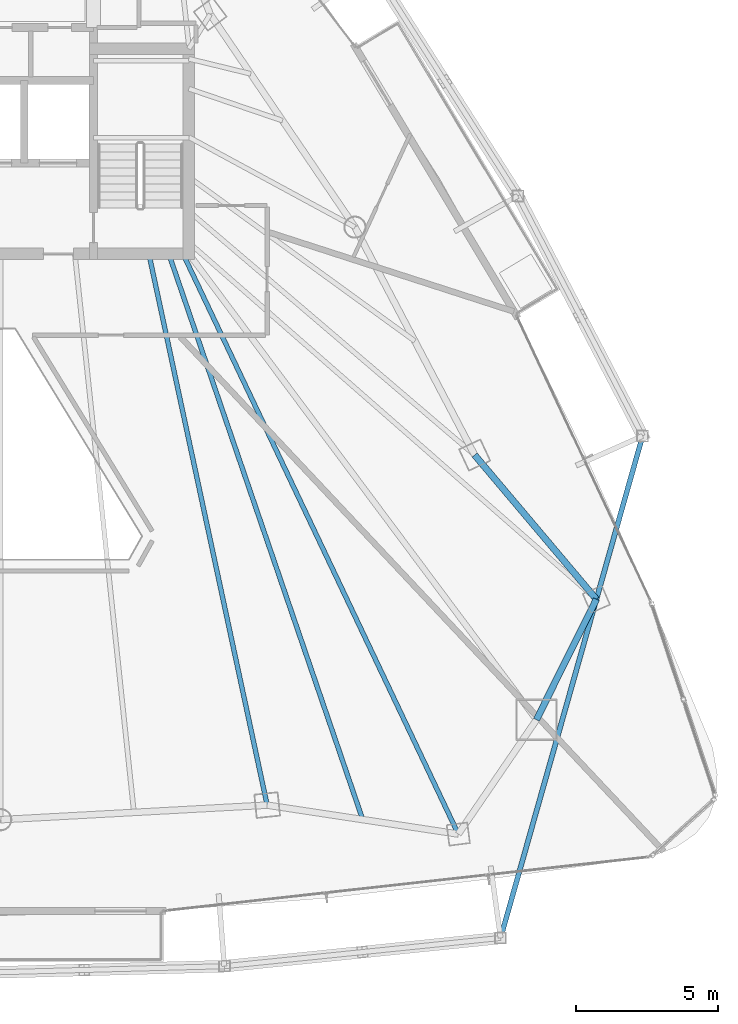
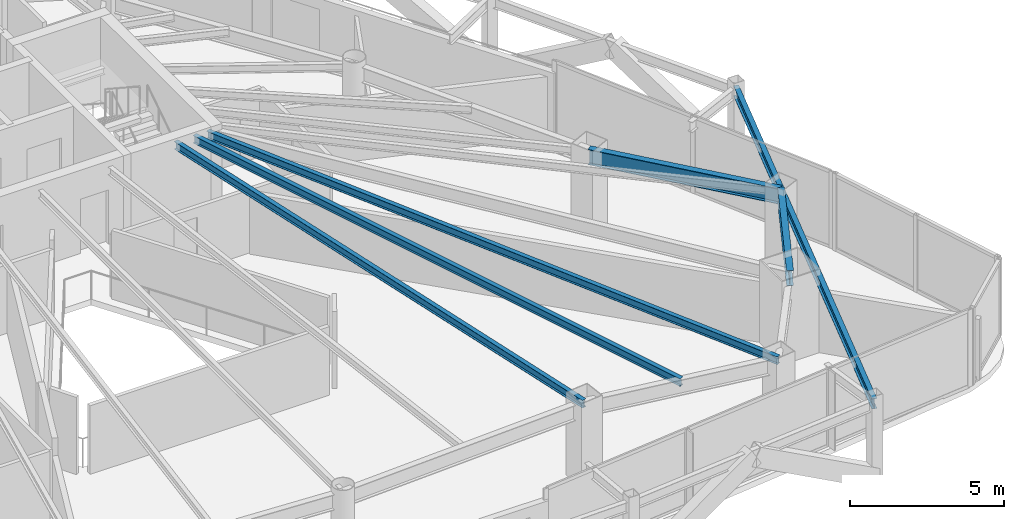
# One storey, part 15 of 31: 6 beams.
"""IFC4 building model written with IfcOpenShell, lengths in metres."""

import ifcopenshell
import ifcopenshell.guid

model = None  # the IFC model being written
_history = None  # IfcOwnerHistory: only IFC2X3 demands one
_inside = {}  # id of a spatial element -> (the spatial element, [elements in it])
_under = {}  # id of a project, library or spatial element -> (it, [spatial elements below it])
_declared = {}  # id of a project -> (the project, [libraries it declares])
_typed = {}  # id of a type object -> (the type object, [elements of that type])
_made_of = {}  # id of a material, layer set ... -> (it, [elements and type objects made of it])


def new_model(schema):
    """Start an empty IFC model of exactly this schema.

    Asked for "IFC4X3", IfcOpenShell would pick the latest addendum, in which some entities
    have other attributes; the version numbers below select the first issue.
    IFC2X3 requires an IfcOwnerHistory on every rooted entity: one is made here for all.
    """
    global model, _history
    if schema == "IFC4X3":
        model = ifcopenshell.file(schema_version=(4, 3, 0, 0))
    else:
        model = ifcopenshell.file(schema=schema)
    _inside.clear()
    _under.clear()
    _declared.clear()
    _typed.clear()
    _made_of.clear()
    _history = None
    if model.schema == "IFC2X3":
        org = make("IfcOrganization", Name="unknown")
        user = make(
            "IfcPersonAndOrganization",
            ThePerson=make("IfcPerson", FamilyName="unknown"),
            TheOrganization=org,
        )
        app = make(
            "IfcApplication",
            ApplicationDeveloper=org,
            Version="unknown",
            ApplicationFullName="unknown",
            ApplicationIdentifier="unknown",
        )
        _history = make(
            "IfcOwnerHistory",
            OwningUser=user,
            OwningApplication=app,
            ChangeAction="ADDED",
            CreationDate=0,
        )
    return model


def make(cls, **values):
    """One entity of the class cls with the attributes given. An attribute that is None is left unset."""
    return model.create_entity(
        cls, **{name: value for name, value in values.items() if value is not None}
    )


def rooted(cls, **values):
    """An entity with a GlobalId (a new one), such as an element, a storey or a relation."""
    return make(cls, GlobalId=ifcopenshell.guid.new(), OwnerHistory=_history, **values)


def si_unit(unit_type, name, prefix=None):
    """IfcSIUnit, for example si_unit("LENGTHUNIT", "METRE", prefix="MILLI")."""
    return make("IfcSIUnit", UnitType=unit_type, Prefix=prefix, Name=name)


def assignment(units):
    """IfcUnitAssignment: the units of a project."""
    return None if units is None else make("IfcUnitAssignment", Units=units)


def point(xyz):
    """IfcCartesianPoint."""
    return None if xyz is None else make("IfcCartesianPoint", Coordinates=xyz)


def direction(xyz):
    """IfcDirection."""
    return None if xyz is None else make("IfcDirection", DirectionRatios=xyz)


def frame(location, z_axis=None, x_axis=None):
    """IfcAxis2Placement3D, a coordinate frame: its origin and axes. An axis left out is left unset."""
    return make(
        "IfcAxis2Placement3D",
        Location=point(location),
        Axis=direction(z_axis),
        RefDirection=direction(x_axis),
    )


def frame_2d(location, x_axis=None):
    """IfcAxis2Placement2D, a coordinate frame in the plane: its origin and x axis."""
    return make(
        "IfcAxis2Placement2D", Location=point(location), RefDirection=direction(x_axis)
    )


def origin():
    """The frame at (0, 0, 0) with its axes left unset."""
    return frame((0.0, 0.0, 0.0))


def origin_2d():
    """The frame at (0, 0) in the plane with its x axis left unset."""
    return frame_2d((0.0, 0.0))


def place(relative_to, where):
    """IfcLocalPlacement: puts the frame where relative to a parent placement (None: the world)."""
    return make(
        "IfcLocalPlacement", PlacementRelTo=relative_to, RelativePlacement=where
    )


def context(
    kind, dimensions, precision=None, world=None, true_north=None, identifier=None
):
    """IfcGeometricRepresentationContext, for example the 3D "Model" context."""
    return make(
        "IfcGeometricRepresentationContext",
        ContextIdentifier=identifier,
        ContextType=kind,
        CoordinateSpaceDimension=dimensions,
        Precision=precision,
        WorldCoordinateSystem=world,
        TrueNorth=true_north,
    )


def subcontext(parent, identifier, kind, view, scale=None):
    """IfcGeometricRepresentationSubContext, for example "Body" below "Model"."""
    return make(
        "IfcGeometricRepresentationSubContext",
        ContextIdentifier=identifier,
        ContextType=kind,
        ParentContext=parent,
        TargetScale=scale,
        TargetView=view,
    )


def project(units=None, contexts=None):
    """IfcProject with its units and contexts."""
    return rooted(
        "IfcProject",
        Name="project",
        RepresentationContexts=contexts,
        UnitsInContext=assignment(units),
    )


def spatial(cls, under=None, at=None, **own):
    """A site, building, storey or space (cls), placed at a placement, below another one or the project."""
    s = rooted(cls, ObjectPlacement=at, **own)
    if under is not None:
        _under.setdefault(under.id(), (under, []))[1].append(s)
    return s


def profile(cls, at=None, kind="AREA", **sizes):
    """A parametric profile (cls). Its sizes go by their IFC names, for example OverallWidth=200.0."""
    return make(cls, ProfileType=kind, Position=at, **sizes)


def i_section(**sizes):
    """IfcIShapeProfileDef."""
    return profile("IfcIShapeProfileDef", **sizes)


def extrude(swept, where, along, depth):
    """IfcExtrudedAreaSolid: the profile swept, set in the frame where, extruded along a direction by depth."""
    return make(
        "IfcExtrudedAreaSolid",
        SweptArea=swept,
        Position=where,
        ExtrudedDirection=direction(along),
        Depth=depth,
    )


def shape(context_of_items, identifier, shape_type, items):
    """IfcShapeRepresentation: the items that make up one representation, for example the "Body"."""
    return make(
        "IfcShapeRepresentation",
        ContextOfItems=context_of_items,
        RepresentationIdentifier=identifier,
        RepresentationType=shape_type,
        Items=items,
    )


def material(Name=None, Category=None):
    """IfcMaterial."""
    return make("IfcMaterial", Name=Name, Category=Category)


def material_profile(
    of_material, cross_section, Name=None, Category=None, Priority=None
):
    """IfcMaterialProfile: a cross section and its material."""
    return make(
        "IfcMaterialProfile",
        Name=Name,
        Material=of_material,
        Profile=cross_section,
        Priority=Priority,
        Category=Category,
    )


def profile_set(profiles, Name=None, composite=None):
    """IfcMaterialProfileSet."""
    return make(
        "IfcMaterialProfileSet",
        Name=Name,
        MaterialProfiles=profiles,
        CompositeProfile=composite,
    )


def made_of(thing, what):
    """Note that an element or type object is made of a material, layer set ...; save() writes the relation."""
    if what is not None:
        _made_of.setdefault(what.id(), (what, []))[1].append(thing)
    return thing


def type_object(cls, material=None, **own):
    """A type object (cls), such as IfcWallType, which elements share."""
    return made_of(rooted(cls, **own), material)


def element(
    cls,
    number,
    at=None,
    inside=None,
    cuts=None,
    type_object=None,
    material=None,
    context=None,
    identifier="Body",
    shape_type=None,
    held_by="IfcProductDefinitionShape",
    body=None,
    shapes=None,
    **own,
):
    """One element of the class cls, such as IfcWall. Its Tag is "e" and its number.

    at: its placement. inside: the storey or other place that contains it. cuts: it is an
    opening in that element (IfcRelVoidsElement). A single representation is given by context,
    identifier, shape_type and body (its items); several are given by shapes. held_by: the class
    of the entity that holds the representations. save() writes the other relations.
    """
    e = rooted(cls, Tag="e%d" % number, ObjectPlacement=at, **own)
    if body is not None:
        shapes = [shape(context, identifier, shape_type, body)]
    if shapes is not None:
        e.Representation = make(held_by, Representations=shapes)
    if inside is not None:
        _inside.setdefault(inside.id(), (inside, []))[1].append(e)
    if cuts is not None:
        rooted(
            "IfcRelVoidsElement", RelatingBuildingElement=cuts, RelatedOpeningElement=e
        )
    if type_object is not None:
        _typed.setdefault(type_object.id(), (type_object, []))[1].append(e)
    return made_of(e, material)


def aggregate(whole, parts):
    """IfcRelAggregates: a whole, such as a stair, and the parts it consists of."""
    return rooted("IfcRelAggregates", RelatingObject=whole, RelatedObjects=parts)


def save(model, path):
    """Write the relations noted so far, then the file.

    IfcRelAggregates (storeys below a building ...), IfcRelContainedInSpatialStructure (elements
    in a storey), IfcRelDefinesByType, IfcRelAssociatesMaterial and IfcRelDeclares: one each for
    every whole, place, type object, material and project.
    """
    for whole, parts in _under.values():
        aggregate(whole, parts)
    for where, things in _inside.values():
        rooted(
            "IfcRelContainedInSpatialStructure",
            RelatedElements=things,
            RelatingStructure=where,
        )
    for kind, things in _typed.values():
        rooted("IfcRelDefinesByType", RelatedObjects=things, RelatingType=kind)
    for what, things in _made_of.values():
        rooted("IfcRelAssociatesMaterial", RelatedObjects=things, RelatingMaterial=what)
    for by, libraries in _declared.values():
        rooted("IfcRelDeclares", RelatingContext=by, RelatedDefinitions=libraries)
    model.write(path)


model = new_model("IFC4")

# Units and contexts
model_context = context("Model", 3, precision=1e-05, world=origin(), true_north=direction((0.0, 1.0)))
body_context = subcontext(model_context, "Body", "Model", "MODEL_VIEW")
ifc_project = project(units=[si_unit("LENGTHUNIT", "METRE"), si_unit("AREAUNIT", "SQUARE_METRE"), si_unit("VOLUMEUNIT", "CUBIC_METRE"), si_unit("PLANEANGLEUNIT", "RADIAN"), si_unit("MASSUNIT", "GRAM", prefix="KILO")], contexts=[model_context])

# Site, building, storey
site_placement = place(None, origin())
site = spatial("IfcSite", under=ifc_project, at=site_placement, CompositionType="ELEMENT")
building_placement = place(site_placement, origin())
building = spatial("IfcBuilding", under=site, at=building_placement, Name="Orvanel Arch Residences", CompositionType="ELEMENT")
storey_placement = place(building_placement, frame((0.0, 0.0, 150.64990234375)))
storey = spatial("IfcBuildingStorey", under=building, at=storey_placement, Name="L42", CompositionType="ELEMENT", Elevation=150.64990234375)

# Beams
ifc_material = material(Name="Structural steel AS/NZS 3679.1 Grade 300 (300 MPa)", Category="steel")
ifc_material_profile_1 = material_profile(ifc_material, i_section(OverallWidth=0.1650390625, OverallDepth=0.303955078125, WebThickness=0.006103515625, FlangeThickness=0.01025390625, at=origin_2d()), Name="310UB40.4")
ifc_profile_set_1 = profile_set([ifc_material_profile_1], Name="Structural steel AS/NZS 3679.1 Grade 300 (300 MPa)")
beam_type_1 = type_object("IfcBeamType", Name="BJ-310UB", PredefinedType="JOIST", material=ifc_profile_set_1)
beam_1_placement = place(storey_placement, frame((38.199951171875, 26.699951171875, 2.908203125), z_axis=(0.209808012425, -0.977742603103, 0.0), x_axis=(0.977742603103, 0.209808012425, 0.0)))
element("IfcBeam", 1, at=beam_1_placement, inside=storey, type_object=beam_type_1, Name="L42 SE Wing Floor Joist", PredefinedType="JOIST", context=body_context, shape_type="SweptSolid", body=[
    extrude(i_section(OverallWidth=0.1650390625, OverallDepth=0.303955078125, WebThickness=0.006103515625, FlangeThickness=0.01025390625, at=origin_2d()), origin(), (0.0, 0.0, 1.0), 19.785400390625),
])
beam_2_placement = place(storey_placement, frame((39.39990234375, 26.699951171875, 2.908203125), z_axis=(0.428614365266, -0.903487534993, 0.0), x_axis=(0.903487534993, 0.428614365266, 0.0)))
element("IfcBeam", 2, at=beam_2_placement, inside=storey, type_object=beam_type_1, Name="L42 MSE Wing Floor Joist", PredefinedType="JOIST", context=body_context, shape_type="SweptSolid", body=[
    extrude(i_section(OverallWidth=0.1650390625, OverallDepth=0.303955078125, WebThickness=0.006103515625, FlangeThickness=0.01025390625, at=origin_2d()), origin(), (0.0, 0.0, 1.0), 22.535888671875),
])
beam_3_placement = place(storey_placement, frame((38.89990234375, 26.699951171875, 2.908203125), z_axis=(0.324257108963, -0.945968988544, 0.0), x_axis=(0.945968988544, 0.324257108963, 0.0)))
element("IfcBeam", 3, at=beam_3_placement, inside=storey, type_object=beam_type_1, Name="L42 JADD2 Wing Floor Joist", PredefinedType="JOIST", context=body_context, shape_type="SweptSolid", body=[
    extrude(i_section(OverallWidth=0.1650390625, OverallDepth=0.303955078125, WebThickness=0.006103515625, FlangeThickness=0.01025390625, at=origin_2d()), origin(), (0.0, 0.0, 1.0), 20.987060546875),
])
ifc_material_profile_2 = material_profile(ifc_material, i_section(OverallWidth=0.177978515625, OverallDepth=0.406005859375, WebThickness=0.0078125, FlangeThickness=0.0126953125, at=origin_2d()), Name="410UB59.7")
ifc_profile_set_2 = profile_set([ifc_material_profile_2], Name="Structural steel AS/NZS 3679.1 Grade 300 (300 MPa)")
beam_type_2 = type_object("IfcBeamType", Name="OB-410UB-EXT", PredefinedType="SPANDREL", material=ifc_profile_set_2)
beam_4_placement = place(storey_placement, frame((50.54296875, 2.693115234375, 2.857177734375), z_axis=(0.272239085269, 0.962229640186, 0.0), x_axis=(-0.962229640186, 0.272239085269, 0.0)))
element("IfcBeam", 4, at=beam_4_placement, inside=storey, type_object=beam_type_2, Name="L42 Outer Perimeter Floor Ring Beam 08", PredefinedType="SPANDREL", context=body_context, shape_type="SweptSolid", body=[
    extrude(i_section(OverallWidth=0.177978515625, OverallDepth=0.406005859375, WebThickness=0.0078125, FlangeThickness=0.0126953125, at=origin_2d()), origin(), (0.0, 0.0, 1.0), 18.3115234375),
])
ifc_material_profile_3 = material_profile(ifc_material, i_section(OverallWidth=0.22900390625, OverallDepth=0.612060546875, WebThickness=0.011962890625, FlangeThickness=0.01953125, at=origin_2d()), Name="610UB125")
ifc_profile_set_3 = profile_set([ifc_material_profile_3], Name="Structural steel AS/NZS 3679.1 Grade 300 (300 MPa)")
beam_type_3 = type_object("IfcBeamType", Name="SP-610UB", PredefinedType="SPANDREL", material=ifc_profile_set_3)
beam_5_placement = place(storey_placement, frame((51.801025390625, 10.35107421875, 2.754150390625), z_axis=(0.44543469453, 0.895314432425, 0.0), x_axis=(-0.895314432425, 0.44543469453, 0.0)))
element("IfcBeam", 5, at=beam_5_placement, inside=storey, type_object=beam_type_3, Name="L42 Perimeter Spandrel Beam 09", PredefinedType="SPANDREL", context=body_context, shape_type="SweptSolid", body=[
    extrude(i_section(OverallWidth=0.22900390625, OverallDepth=0.612060546875, WebThickness=0.011962890625, FlangeThickness=0.01953125, at=origin_2d()), origin(), (0.0, 0.0, 1.0), 4.723388671875),
])
beam_6_placement = place(storey_placement, frame((53.905029296875, 14.580078125, 2.754150390625), z_axis=(-0.644950329775, 0.764224490659, 0.0), x_axis=(-0.764224490659, -0.644950329775, 0.0)))
element("IfcBeam", 6, at=beam_6_placement, inside=storey, type_object=beam_type_3, Name="L42 Perimeter Spandrel Beam 10", PredefinedType="SPANDREL", context=body_context, shape_type="SweptSolid", body=[
    extrude(i_section(OverallWidth=0.22900390625, OverallDepth=0.612060546875, WebThickness=0.011962890625, FlangeThickness=0.01953125, at=origin_2d()), origin(), (0.0, 0.0, 1.0), 6.623779296875),
])

save(model, "model.ifc")
